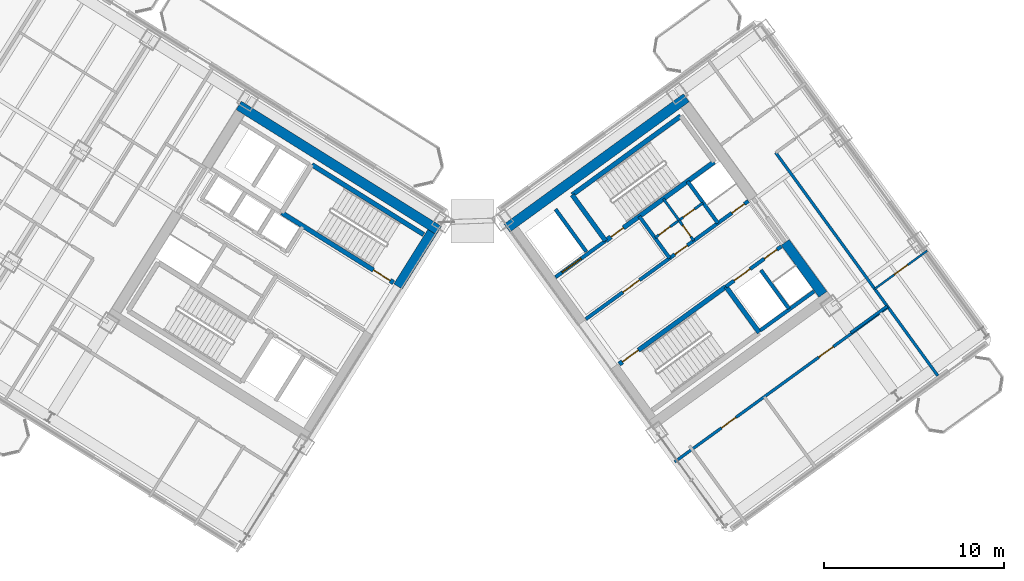
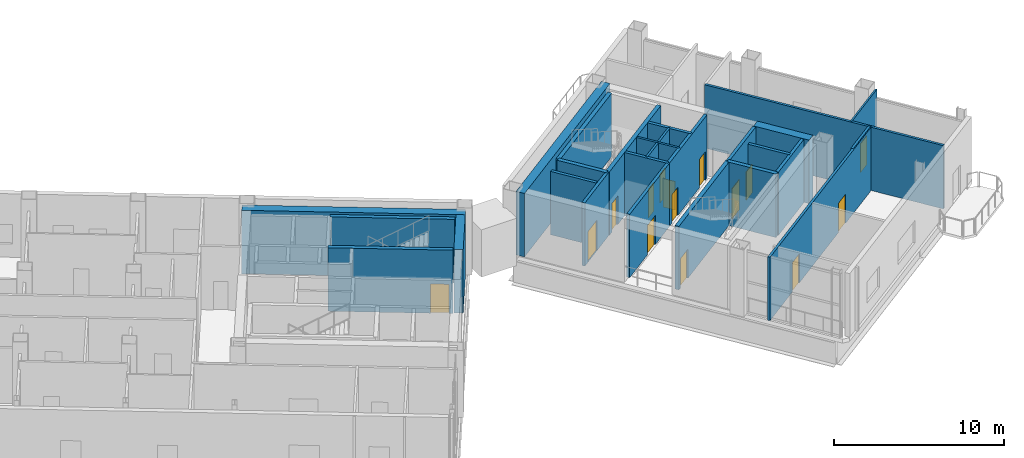
# One storey, part 15 of 22: 27 walls, 15 doors, 15 openings.
"""IFC4 building model written with IfcOpenShell, lengths in metres."""

from ifc_helpers import new_model, si_unit, direction, frame, frame_2d, origin, place, context, subcontext, project, spatial, rectangle, extrude, source, transform, mapped, material, layer, layer_set, type_object, element, fill, save


model = new_model("IFC4")

# Units and contexts
model_context = context("Model", 3, precision=1e-05, world=origin(), true_north=direction((0.0, 1.0)))
body_context = subcontext(model_context, "Body", "Model", "MODEL_VIEW")
ifc_project = project(units=[si_unit("LENGTHUNIT", "METRE"), si_unit("AREAUNIT", "SQUARE_METRE"), si_unit("VOLUMEUNIT", "CUBIC_METRE"), si_unit("PLANEANGLEUNIT", "RADIAN"), si_unit("MASSUNIT", "GRAM", prefix="KILO")], contexts=[model_context])

# Site, building, storey
site_placement = place(None, origin())
site = spatial("IfcSite", under=ifc_project, at=site_placement, CompositionType="ELEMENT")
building_placement = place(site_placement, origin())
building = spatial("IfcBuilding", under=site, at=building_placement, Name="Tlacorven Tower", CompositionType="ELEMENT")
storey_placement = place(building_placement, frame((0.0, 0.0, 127.800048828125)))
storey = spatial("IfcBuildingStorey", under=building, at=storey_placement, Name="L32", CompositionType="ELEMENT", Elevation=127.800048828125)

# Walls
ifc_material_1 = material(Name="Concrete C60/75", Category="concrete")
ifc_layer_1 = layer(ifc_material_1, 0.550048828125)
ifc_layer_set_1 = layer_set([ifc_layer_1], Name="Concrete C60/75")
wall_type_1 = type_object("IfcWallType", Name="WL-COR-550", PredefinedType="SHEAR", material=ifc_layer_set_1)
wall_1_placement = place(storey_placement, frame((40.572998046875, 24.010009765625, 0.0), z_axis=(0.0, 0.0, 1.0), x_axis=(-0.848047359947, 0.529920442413, 0.0)))
element("IfcWall", 1, at=wall_1_placement, inside=storey, type_object=wall_type_1, Name="L32 W core shear wall S1", PredefinedType="SHEAR", context=body_context, shape_type="SweptSolid", body=[
    extrude(rectangle(XDim=13.139892578125, YDim=0.550048828125, at=frame_2d((6.56982421875, 0.0))), origin(), (0.0, 0.0, 1.0), 4.550048828125),
])
wall_2_placement = place(storey_placement, frame((40.194091796875, 23.92236328125, 0.0), z_axis=(0.0, 0.0, 1.0), x_axis=(-0.529888438328, -0.848067357541, 0.0)))
element("IfcWall", 2, at=wall_2_placement, inside=storey, type_object=wall_type_1, Name="L32 W core end wall E1.1", PredefinedType="SHEAR", context=body_context, shape_type="SweptSolid", body=[
    extrude(rectangle(XDim=3.574951171875, YDim=0.550048828125, at=frame_2d((1.78759765625, 0.0))), origin(), (0.0, 0.0, 1.0), 4.550048828125),
])
wall_3_placement = place(storey_placement, frame((44.364990234375, 24.142333984375, 0.0), z_axis=(0.0, 0.0, 1.0), x_axis=(0.809024304885, 0.587775190107, 0.0)))
element("IfcWall", 3, at=wall_3_placement, inside=storey, type_object=wall_type_1, Name="L32 E core shear wall S2", PredefinedType="SHEAR", context=body_context, shape_type="SweptSolid", body=[
    extrude(rectangle(XDim=12.340087890625, YDim=0.550048828125, at=frame_2d((6.169921875, 0.0))), origin(), (0.0, 0.0, 1.0), 4.550048828125),
])
wall_4_placement = place(storey_placement, frame((61.9580078125, 20.453857421875, 0.0), z_axis=(0.0, 0.0, 1.0), x_axis=(-0.587802113096, 0.809004744015, 0.0)))
element("IfcWall", 4, at=wall_4_placement, inside=storey, type_object=wall_type_1, Name="L32 E core end wall E2.1", PredefinedType="SHEAR", context=body_context, shape_type="SweptSolid", body=[
    extrude(rectangle(XDim=3.574951171875, YDim=0.550048828125, at=frame_2d((1.78759765625, 0.0))), origin(), (0.0, 0.0, 1.0), 4.550048828125),
])
ifc_material_2 = material(Name="Gypsum plasterboard acoustic partition", Category="gypsum")
ifc_layer_2 = layer(ifc_material_2, 0.159912109375)
ifc_layer_set_2 = layer_set([ifc_layer_2], Name="Gypsum plasterboard acoustic partition")
wall_type_2 = type_object("IfcWallType", Name="WL-DEM-160", PredefinedType="PARTITIONING", material=ifc_layer_set_2)
wall_5_placement = place(storey_placement, frame((63.5068359375, 18.322021484375, 0.0), z_axis=(0.0, 0.0, 1.0), x_axis=(0.809034604122, 0.587761013791, 0.0)))
element("IfcWall", 5, at=wall_5_placement, inside=storey, type_object=wall_type_2, Name="L32 partition 77", PredefinedType="PARTITIONING", context=body_context, shape_type="SweptSolid", body=[
    extrude(rectangle(XDim=2.510009765625, YDim=0.159912109375, at=frame_2d((1.2548828125, 0.0))), origin(), (0.0, 0.0, 1.0), 4.5400390625),
])
wall_6_placement = place(storey_placement, frame((68.35302734375, 15.922119140625, 0.0), z_axis=(0.0, 0.0, 1.0), x_axis=(-0.587782002009, 0.809019355834, 0.0)))
element("IfcWall", 6, at=wall_6_placement, inside=storey, type_object=wall_type_2, Name="L32 partition 79", PredefinedType="PARTITIONING", context=body_context, shape_type="SweptSolid", body=[
    extrude(rectangle(XDim=15.35009765625, YDim=0.159912109375, at=frame_2d((7.675048828125, 0.0))), origin(), (0.0, 0.0, 1.0), 4.5400390625),
])

# Wall, openings, doors
wall_7_placement = place(storey_placement, frame((53.70458984375, 11.1259765625, 0.0), z_axis=(0.0, 0.0, 1.0), x_axis=(0.809014504436, 0.587788679384, 0.0)))
wall_7 = element("IfcWall", 7, at=wall_7_placement, inside=storey, type_object=wall_type_2, Name="L32 partition 85", PredefinedType="PARTITIONING", context=body_context, shape_type="SweptSolid", body=[
    extrude(rectangle(XDim=14.669921875, YDim=0.159912109375, at=frame_2d((7.3349609375, 0.0))), origin(), (0.0, 0.0, 1.0), 4.5400390625),
])
opening_1_placement = place(wall_7_placement, frame((3.215087890625, 0.0, 0.0)))
opening_1 = element("IfcOpeningElement", 8, at=opening_1_placement, cuts=wall_7, Name="Opening D11", PredefinedType="OPENING", context=body_context, shape_type="SweptSolid", body=[
    extrude(rectangle(XDim=1.0, YDim=2.10009765625, at=frame_2d((0.5, 1.050048828125))), frame((0.0, 0.08984375, 0.0), z_axis=(0.0, -1.0, 0.0), x_axis=(1.0, 0.0, 0.0)), (0.0, 0.0, 1.0), 0.179931640625),
])
opening_2_placement = place(wall_7_placement, frame((9.9150390625, 0.0, 0.0)))
opening_2 = element("IfcOpeningElement", 9, at=opening_2_placement, cuts=wall_7, Name="Opening D11", PredefinedType="OPENING", context=body_context, shape_type="SweptSolid", body=[
    extrude(rectangle(XDim=1.0, YDim=2.10009765625, at=frame_2d((0.5, 1.050048828125))), frame((0.0, 0.08984375, 0.0), z_axis=(0.0, -1.0, 0.0), x_axis=(1.0, 0.0, 0.0)), (0.0, 0.0, 1.0), 0.179931640625),
])
ifc_material_3 = material(Name="Fire-rated steel door assembly", Category="steel")
door_type_1 = type_object("IfcDoorType", Name="DR-FLT-FD60-1000", OperationType="NOTDEFINED", PredefinedType="DOOR", material=ifc_material_3)
shared_shape_1 = source(origin(), body_context, "Body", "SweptSolid", [
    extrude(rectangle(XDim=1.0, YDim=2.10009765625, at=frame_2d((0.5, 1.050048828125))), frame((0.0, 0.02490234375, 0.0), z_axis=(0.0, -1.0, 0.0), x_axis=(1.0, 0.0, 0.0)), (0.0, 0.0, 1.0), 0.050048828125),
])
door_1_placement = place(opening_1_placement, origin())
door_1 = element("IfcDoor", 10, at=door_1_placement, inside=storey, type_object=door_type_1, Name="L32 door 053", OperationType="SINGLE_SWING_LEFT", OverallHeight=2.10009765625, OverallWidth=1.0, PredefinedType="DOOR", context=body_context, shape_type="MappedRepresentation", body=[
    mapped(shared_shape_1, transform((0.0, 0.0, 0.0), scale=1.0)),
])
fill(opening_1, door_1)
door_2_placement = place(opening_2_placement, origin())
door_2 = element("IfcDoor", 11, at=door_2_placement, inside=storey, type_object=door_type_1, Name="L32 door 054", OperationType="SINGLE_SWING_RIGHT", OverallHeight=2.10009765625, OverallWidth=1.0, PredefinedType="DOOR", context=body_context, shape_type="MappedRepresentation", body=[
    mapped(shared_shape_1, transform((0.0, 0.0, 0.0), scale=1.0)),
])
fill(opening_2, door_2)

# Wall, opening, door
ifc_material_4 = material(Name="Gypsum plasterboard partition", Category="gypsum")
ifc_layer_3 = layer(ifc_material_4, 0.110107421875)
ifc_layer_set_3 = layer_set([ifc_layer_3], Name="Gypsum plasterboard partition")
wall_type_3 = type_object("IfcWallType", Name="WL-INT-110", PredefinedType="PARTITIONING", material=ifc_layer_set_3)
wall_8_placement = place(storey_placement, frame((64.83935546875, 20.758544921875, 0.0), z_axis=(0.0, 0.0, 1.0), x_axis=(0.809013833588, 0.587789602718, 0.0)))
wall_8 = element("IfcWall", 12, at=wall_8_placement, inside=storey, type_object=wall_type_3, Name="L32 partition 84", PredefinedType="PARTITIONING", context=body_context, shape_type="SweptSolid", body=[
    extrude(rectangle(XDim=3.60986328125, YDim=0.110107421875, at=frame_2d((1.804931640625, 0.0))), origin(), (0.0, 0.0, 1.0), 4.5400390625),
])
opening_3_placement = place(wall_8_placement, frame((1.344970703125, 0.0, 0.0)))
opening_3 = element("IfcOpeningElement", 13, at=opening_3_placement, cuts=wall_8, Name="Opening D12", PredefinedType="OPENING", context=body_context, shape_type="SweptSolid", body=[
    extrude(rectangle(XDim=0.919921875, YDim=2.080078125, at=frame_2d((0.4599609375, 1.0400390625))), frame((0.0, 0.06494140625, 0.0), z_axis=(0.0, -1.0, 0.0), x_axis=(1.0, 0.0, 0.0)), (0.0, 0.0, 1.0), 0.130126953125),
])
ifc_material_5 = material(Name="Powder-coated aluminium and timber door", Category="wood")
door_type_2 = type_object("IfcDoorType", Name="DR-INT-ROOM-0920", OperationType="NOTDEFINED", PredefinedType="DOOR", material=ifc_material_5)
shared_shape_2 = source(origin(), body_context, "Body", "SweptSolid", [
    extrude(rectangle(XDim=0.919921875, YDim=2.080078125, at=frame_2d((0.4599609375, 1.0400390625))), frame((0.0, 0.02490234375, 0.0), z_axis=(0.0, -1.0, 0.0), x_axis=(1.0, 0.0, 0.0)), (0.0, 0.0, 1.0), 0.050048828125),
])
door_3_placement = place(opening_3_placement, origin())
door_3 = element("IfcDoor", 14, at=door_3_placement, inside=storey, type_object=door_type_2, Name="L32 door 052", OperationType="SINGLE_SWING_LEFT", OverallHeight=2.080078125, OverallWidth=0.919921875, PredefinedType="DOOR", context=body_context, shape_type="MappedRepresentation", body=[
    mapped(shared_shape_2, transform((0.0, 0.0, 0.0), scale=1.0)),
])
fill(opening_3, door_3)

ifc_material_6 = material(Name="Moisture-resistant gypsum plumbing wall", Category="gypsum")
ifc_layer_4 = layer(ifc_material_6, 0.139892578125)
ifc_layer_set_4 = layer_set([ifc_layer_4], Name="Moisture-resistant gypsum plumbing wall")
wall_type_4 = type_object("IfcWallType", Name="WL-PLM-140", PredefinedType="PLUMBINGWALL", material=ifc_layer_set_4)
wall_9_placement = place(storey_placement, frame((54.767578125, 23.443359375, 0.0), z_axis=(0.0, 0.0, 1.0), x_axis=(-0.587736077749, 0.809052719489, 0.0)))
wall_9 = element("IfcWall", 15, at=wall_9_placement, inside=storey, type_object=wall_type_4, Name="L32 partition 42", PredefinedType="PLUMBINGWALL", context=body_context, shape_type="SweptSolid", body=[
    extrude(rectangle(XDim=1.39990234375, YDim=0.139892578125, at=frame_2d((0.699951171875, 0.0))), origin(), (0.0, 0.0, 1.0), 4.5400390625),
])
opening_4_placement = place(wall_9_placement, frame((0.280029296875, 0.0, 0.0)))
opening_4 = element("IfcOpeningElement", 16, at=opening_4_placement, cuts=wall_9, Name="Opening D22", PredefinedType="OPENING", context=body_context, shape_type="SweptSolid", body=[
    extrude(rectangle(XDim=0.780029296875, YDim=2.050048828125, at=frame_2d((0.39013671875, 1.02490234375))), frame((0.0, 0.080078125, 0.0), z_axis=(0.0, -1.0, 0.0), x_axis=(1.0, 0.0, 0.0)), (0.0, 0.0, 1.0), 0.159912109375),
])
door_type_3 = type_object("IfcDoorType", Name="DR-INT-WET-0780", OperationType="NOTDEFINED", PredefinedType="DOOR", material=ifc_material_5)
shared_shape_3 = source(origin(), body_context, "Body", "SweptSolid", [
    extrude(rectangle(XDim=0.780029296875, YDim=2.050048828125, at=frame_2d((0.39013671875, 1.02490234375))), frame((0.0, 0.02490234375, 0.0), z_axis=(0.0, -1.0, 0.0), x_axis=(1.0, 0.0, 0.0)), (0.0, 0.0, 1.0), 0.050048828125),
])
door_4_placement = place(opening_4_placement, origin())
door_4 = element("IfcDoor", 17, at=door_4_placement, inside=storey, type_object=door_type_3, Name="L32 door 020", OperationType="SINGLE_SWING_RIGHT", OverallHeight=2.050048828125, OverallWidth=0.780029296875, PredefinedType="DOOR", context=body_context, shape_type="MappedRepresentation", body=[
    mapped(shared_shape_3, transform((0.0, 0.0, 0.0), scale=1.0)),
])
fill(opening_4, door_4)

# Wall
wall_10_placement = place(storey_placement, frame((53.94482421875, 24.575927734375, 0.0), z_axis=(0.0, 0.0, 1.0), x_axis=(-0.587897037186, 0.808935766095, 0.0)))
element("IfcWall", 18, at=wall_10_placement, inside=storey, type_object=wall_type_4, Name="L32 partition 43", PredefinedType="PLUMBINGWALL", context=body_context, shape_type="SweptSolid", body=[
    extrude(rectangle(XDim=1.47998046875, YDim=0.139892578125, at=frame_2d((0.739990234375, 0.0))), origin(), (0.0, 0.0, 1.0), 4.5400390625),
])

# Wall, openings, doors
wall_11_placement = place(storey_placement, frame((52.617919921875, 23.612060546875, 0.0), z_axis=(0.0, 0.0, 1.0), x_axis=(0.809009587469, 0.587795446889, 0.0)))
wall_11 = element("IfcWall", 19, at=wall_11_placement, inside=storey, type_object=wall_type_4, Name="L32 partition 44", PredefinedType="PLUMBINGWALL", context=body_context, shape_type="SweptSolid", body=[
    extrude(rectangle(XDim=3.280029296875, YDim=0.139892578125, at=frame_2d((1.64013671875, 0.0))), origin(), (0.0, 0.0, 1.0), 4.5400390625),
])
opening_5_placement = place(wall_11_placement, frame((0.25, 0.0, 0.0)))
opening_5 = element("IfcOpeningElement", 20, at=opening_5_placement, cuts=wall_11, Name="Opening D22", PredefinedType="OPENING", context=body_context, shape_type="SweptSolid", body=[
    extrude(rectangle(XDim=0.780029296875, YDim=2.050048828125, at=frame_2d((0.39013671875, 1.02490234375))), frame((0.0, 0.080078125, 0.0), z_axis=(0.0, -1.0, 0.0), x_axis=(1.0, 0.0, 0.0)), (0.0, 0.0, 1.0), 0.159912109375),
])
opening_6_placement = place(wall_11_placement, frame((1.919921875, 0.0, 0.0)))
opening_6 = element("IfcOpeningElement", 21, at=opening_6_placement, cuts=wall_11, Name="Opening D22", PredefinedType="OPENING", context=body_context, shape_type="SweptSolid", body=[
    extrude(rectangle(XDim=0.780029296875, YDim=2.050048828125, at=frame_2d((0.39013671875, 1.02490234375))), frame((0.0, 0.080078125, 0.0), z_axis=(0.0, -1.0, 0.0), x_axis=(1.0, 0.0, 0.0)), (0.0, 0.0, 1.0), 0.159912109375),
])
door_5_placement = place(opening_5_placement, origin())
door_5 = element("IfcDoor", 22, at=door_5_placement, inside=storey, type_object=door_type_3, Name="L32 door 021", OperationType="SINGLE_SWING_LEFT", OverallHeight=2.050048828125, OverallWidth=0.780029296875, PredefinedType="DOOR", context=body_context, shape_type="MappedRepresentation", body=[
    mapped(shared_shape_3, transform((0.0, 0.0, 0.0), scale=1.0)),
])
fill(opening_5, door_5)
door_6_placement = place(opening_6_placement, origin())
door_6 = element("IfcDoor", 23, at=door_6_placement, inside=storey, type_object=door_type_3, Name="L32 door 022", OperationType="SINGLE_SWING_RIGHT", OverallHeight=2.050048828125, OverallWidth=0.780029296875, PredefinedType="DOOR", context=body_context, shape_type="MappedRepresentation", body=[
    mapped(shared_shape_3, transform((0.0, 0.0, 0.0), scale=1.0)),
])
fill(opening_6, door_6)

# Wall, opening, door
ifc_material_7 = material(Name="Concrete C40/50", Category="concrete")
ifc_layer_5 = layer(ifc_material_7, 0.199951171875)
ifc_layer_set_5 = layer_set([ifc_layer_5], Name="Concrete C40/50")
wall_type_5 = type_object("IfcWallType", Name="WL-SHF-200", PredefinedType="STANDARD", material=ifc_layer_set_5)
wall_12_placement = place(storey_placement, frame((47.0654296875, 21.4072265625, 0.0), z_axis=(0.0, 0.0, 1.0), x_axis=(0.809032984992, 0.587763242466, 0.0)))
wall_12 = element("IfcWall", 24, at=wall_12_placement, inside=storey, type_object=wall_type_5, Name="L32 Core E Firefighting Lift Shaft Front Wall", PredefinedType="STANDARD", context=body_context, shape_type="SweptSolid", body=[
    extrude(rectangle(XDim=3.447998046875, YDim=0.199951171875, at=frame_2d((1.72412109375, 0.0))), origin(), (0.0, 0.0, 1.0), 4.5400390625),
])
opening_7_placement = place(wall_12_placement, frame((0.4580078125, 0.0, 0.0)))
opening_7 = element("IfcOpeningElement", 25, at=opening_7_placement, cuts=wall_12, Name="Opening LD03", PredefinedType="OPENING", context=body_context, shape_type="SweptSolid", body=[
    extrude(rectangle(XDim=1.300048828125, YDim=2.199951171875, at=frame_2d((0.64990234375, 1.10009765625))), frame((0.0, 0.10986328125, 0.0), z_axis=(0.0, -1.0, 0.0), x_axis=(1.0, 0.0, 0.0)), (0.0, 0.0, 1.0), 0.219970703125),
])
door_type_4 = type_object("IfcDoorType", Name="DR-LFT-SLID-1300", OperationType="DOUBLE_DOOR_SLIDING", PredefinedType="DOOR", material=ifc_material_3)
shared_shape_4 = source(origin(), body_context, "Body", "SweptSolid", [
    extrude(rectangle(XDim=1.300048828125, YDim=2.199951171875, at=frame_2d((0.64990234375, 1.10009765625))), frame((0.0, 0.02490234375, 0.0), z_axis=(0.0, -1.0, 0.0), x_axis=(1.0, 0.0, 0.0)), (0.0, 0.0, 1.0), 0.050048828125),
])
door_7_placement = place(opening_7_placement, origin())
door_7 = element("IfcDoor", 26, at=door_7_placement, inside=storey, type_object=door_type_4, Name="L32 Lift FFL-E1 Sliding Landing Door", OperationType="DOUBLE_DOOR_SLIDING", OverallHeight=2.199951171875, OverallWidth=1.300048828125, PredefinedType="DOOR", context=body_context, shape_type="MappedRepresentation", body=[
    mapped(shared_shape_4, transform((0.0, 0.0, 0.0), scale=1.0)),
])
fill(opening_7, door_7)

wall_13_placement = place(storey_placement, frame((48.75830078125, 19.0771484375, 0.0), z_axis=(0.0, 0.0, 1.0), x_axis=(0.809005065155, 0.587801671104, 0.0)))
wall_13 = element("IfcWall", 27, at=wall_13_placement, inside=storey, type_object=wall_type_5, Name="L32 Core E Smoke Lobby Wall", PredefinedType="STANDARD", context=body_context, shape_type="SweptSolid", body=[
    extrude(rectangle(XDim=5.767822265625, YDim=0.199951171875, at=frame_2d((2.8837890625, 0.0))), origin(), (0.0, 0.0, 1.0), 4.5400390625),
])
opening_8_placement = place(wall_13_placement, frame((2.548095703125, 0.0, 0.0)))
opening_8 = element("IfcOpeningElement", 28, at=opening_8_placement, cuts=wall_13, Name="Opening D09", PredefinedType="OPENING", context=body_context, shape_type="SweptSolid", body=[
    extrude(rectangle(XDim=1.14990234375, YDim=2.10009765625, at=frame_2d((0.574951171875, 1.050048828125))), frame((0.0, 0.10986328125, 0.0), z_axis=(0.0, -1.0, 0.0), x_axis=(1.0, 0.0, 0.0)), (0.0, 0.0, 1.0), 0.219970703125),
])
door_type_5 = type_object("IfcDoorType", Name="DR-FFL-FD60-1150", OperationType="NOTDEFINED", PredefinedType="DOOR", material=ifc_material_3)
shared_shape_5 = source(origin(), body_context, "Body", "SweptSolid", [
    extrude(rectangle(XDim=1.14990234375, YDim=2.10009765625, at=frame_2d((0.574951171875, 1.050048828125))), frame((0.0, 0.02490234375, 0.0), z_axis=(0.0, -1.0, 0.0), x_axis=(1.0, 0.0, 0.0)), (0.0, 0.0, 1.0), 0.050048828125),
])
door_8_placement = place(opening_8_placement, origin())
door_8 = element("IfcDoor", 29, at=door_8_placement, inside=storey, type_object=door_type_5, Name="L32 Firefighting Lobby E Fire Door", OperationType="SINGLE_SWING_RIGHT", OverallHeight=2.10009765625, OverallWidth=1.14990234375, PredefinedType="DOOR", context=body_context, shape_type="MappedRepresentation", body=[
    mapped(shared_shape_5, transform((0.0, 0.0, 0.0), scale=1.0)),
])
fill(opening_8, door_8)

# Wall, openings, doors
wall_14_placement = place(storey_placement, frame((56.552978515625, 20.884033203125, 0.0), z_axis=(0.0, 0.0, 1.0), x_axis=(0.809023564264, 0.58777620951, 0.0)))
wall_14 = element("IfcWall", 30, at=wall_14_placement, inside=storey, type_object=wall_type_5, Name="L32 Core E South Lift Shaft Wall", PredefinedType="STANDARD", context=body_context, shape_type="SweptSolid", body=[
    extrude(rectangle(XDim=3.818115234375, YDim=0.199951171875, at=frame_2d((1.9091796875, 0.0))), origin(), (0.0, 0.0, 1.0), 4.5400390625),
])
opening_9_placement = place(wall_14_placement, frame((0.570068359375, 0.0, 0.0)))
opening_9 = element("IfcOpeningElement", 31, at=opening_9_placement, cuts=wall_14, Name="Opening LD01", PredefinedType="OPENING", context=body_context, shape_type="SweptSolid", body=[
    extrude(rectangle(XDim=1.10009765625, YDim=2.14990234375, at=frame_2d((0.550048828125, 1.074951171875))), frame((0.0, 0.10986328125, 0.0), z_axis=(0.0, -1.0, 0.0), x_axis=(1.0, 0.0, 0.0)), (0.0, 0.0, 1.0), 0.219970703125),
])
opening_10_placement = place(wall_14_placement, frame((2.64990234375, 0.0, 0.0)))
opening_10 = element("IfcOpeningElement", 32, at=opening_10_placement, cuts=wall_14, Name="Opening D19", PredefinedType="OPENING", context=body_context, shape_type="SweptSolid", body=[
    extrude(rectangle(XDim=0.860107421875, YDim=2.050048828125, at=frame_2d((0.43017578125, 1.02490234375))), frame((0.0, 0.10986328125, 0.0), z_axis=(0.0, -1.0, 0.0), x_axis=(1.0, 0.0, 0.0)), (0.0, 0.0, 1.0), 0.219970703125),
])
door_type_6 = type_object("IfcDoorType", Name="DR-RSR-FD60-0860", OperationType="NOTDEFINED", PredefinedType="DOOR", material=ifc_material_3)
shared_shape_6 = source(origin(), body_context, "Body", "SweptSolid", [
    extrude(rectangle(XDim=0.860107421875, YDim=2.050048828125, at=frame_2d((0.43017578125, 1.02490234375))), frame((0.0, 0.02490234375, 0.0), z_axis=(0.0, -1.0, 0.0), x_axis=(1.0, 0.0, 0.0)), (0.0, 0.0, 1.0), 0.050048828125),
])
door_9_placement = place(opening_10_placement, origin())
door_9 = element("IfcDoor", 33, at=door_9_placement, inside=storey, type_object=door_type_6, Name="L32 Smoke Extract Riser Access Door", OperationType="SINGLE_SWING_LEFT", OverallHeight=2.050048828125, OverallWidth=0.860107421875, PredefinedType="DOOR", context=body_context, shape_type="MappedRepresentation", body=[
    mapped(shared_shape_6, transform((0.0, 0.0, 0.0), scale=1.0)),
])
fill(opening_10, door_9)
door_type_7 = type_object("IfcDoorType", Name="DR-LFT-SLID-1100", OperationType="DOUBLE_DOOR_SLIDING", PredefinedType="DOOR", material=ifc_material_3)
shared_shape_7 = source(origin(), body_context, "Body", "SweptSolid", [
    extrude(rectangle(XDim=1.10009765625, YDim=2.14990234375, at=frame_2d((0.550048828125, 1.074951171875))), frame((0.0, 0.02490234375, 0.0), z_axis=(0.0, -1.0, 0.0), x_axis=(1.0, 0.0, 0.0)), (0.0, 0.0, 1.0), 0.050048828125),
])
door_10_placement = place(opening_9_placement, origin())
door_10 = element("IfcDoor", 34, at=door_10_placement, inside=storey, type_object=door_type_7, Name="L32 Lift PL-M4 Sliding Landing Door", OperationType="DOUBLE_DOOR_SLIDING", OverallHeight=2.14990234375, OverallWidth=1.10009765625, PredefinedType="DOOR", context=body_context, shape_type="MappedRepresentation", body=[
    mapped(shared_shape_7, transform((0.0, 0.0, 0.0), scale=1.0)),
])
fill(opening_9, door_10)

# Walls
wall_15_placement = place(storey_placement, frame((48.78564453125, 22.830078125, 0.0), z_axis=(0.0, 0.0, 1.0), x_axis=(-0.587783856777, 0.809018008275, 0.0)))
element("IfcWall", 35, at=wall_15_placement, inside=storey, type_object=wall_type_5, Name="L32 partition 34", PredefinedType="STANDARD", context=body_context, shape_type="SweptSolid", body=[
    extrude(rectangle(XDim=2.919921875, YDim=0.199951171875, at=frame_2d((1.4599609375, 0.0))), origin(), (0.0, 0.0, 1.0), 4.5400390625),
])
wall_16_placement = place(storey_placement, frame((60.066650390625, 19.654541015625, 0.0), z_axis=(0.0, 0.0, 1.0), x_axis=(-0.587800520745, 0.809005900975, 0.0)))
element("IfcWall", 36, at=wall_16_placement, inside=storey, type_object=wall_type_5, Name="L32 partition 35", PredefinedType="STANDARD", context=body_context, shape_type="SweptSolid", body=[
    extrude(rectangle(XDim=2.659912109375, YDim=0.199951171875, at=frame_2d((1.330078125, 0.0))), origin(), (0.0, 0.0, 1.0), 4.5400390625),
])
wall_17_placement = place(storey_placement, frame((58.47216796875, 18.446533203125, 0.0), z_axis=(0.0, 0.0, 1.0), x_axis=(0.809018631237, 0.587782999339, 0.0)))
element("IfcWall", 37, at=wall_17_placement, inside=storey, type_object=wall_type_5, Name="L32 partition 37", PredefinedType="STANDARD", context=body_context, shape_type="SweptSolid", body=[
    extrude(rectangle(XDim=3.697998046875, YDim=0.199951171875, at=frame_2d((1.84912109375, 0.0))), origin(), (0.0, 0.0, 1.0), 4.5400390625),
])
wall_18_placement = place(storey_placement, frame((53.424560546875, 22.467529296875, 0.0), z_axis=(0.0, 0.0, 1.0), x_axis=(-0.5877230039, 0.809062216821, 0.0)))
element("IfcWall", 38, at=wall_18_placement, inside=storey, type_object=wall_type_5, Name="L32 partition 39", PredefinedType="STANDARD", context=body_context, shape_type="SweptSolid", body=[
    extrude(rectangle(XDim=2.8798828125, YDim=0.199951171875, at=frame_2d((1.43994140625, 0.0))), origin(), (0.0, 0.0, 1.0), 4.5400390625),
])
wall_19_placement = place(storey_placement, frame((56.110595703125, 24.4189453125, 0.0), z_axis=(0.0, 0.0, 1.0), x_axis=(-0.58777848983, 0.809021907548, 0.0)))
element("IfcWall", 39, at=wall_19_placement, inside=storey, type_object=wall_type_5, Name="L32 partition 40", PredefinedType="STANDARD", context=body_context, shape_type="SweptSolid", body=[
    extrude(rectangle(XDim=2.880126953125, YDim=0.199951171875, at=frame_2d((1.43994140625, 0.0))), origin(), (0.0, 0.0, 1.0), 4.5400390625),
])

# Wall, openings, doors
wall_20_placement = place(storey_placement, frame((53.424560546875, 22.467529296875, 0.0), z_axis=(0.0, 0.0, 1.0), x_axis=(0.809024377198, 0.587775090574, 0.0)))
wall_20 = element("IfcWall", 40, at=wall_20_placement, inside=storey, type_object=wall_type_5, Name="L32 Core E North Service Wall", PredefinedType="STANDARD", context=body_context, shape_type="SweptSolid", body=[
    extrude(rectangle(XDim=5.41796875, YDim=0.199951171875, at=frame_2d((2.708984375, 0.0))), origin(), (0.0, 0.0, 1.0), 4.5400390625),
])
opening_11_placement = place(wall_20_placement, frame((4.280029296875, 0.0, 0.0)))
opening_11 = element("IfcOpeningElement", 41, at=opening_11_placement, cuts=wall_20, Name="Opening D19", PredefinedType="OPENING", context=body_context, shape_type="SweptSolid", body=[
    extrude(rectangle(XDim=0.860107421875, YDim=2.050048828125, at=frame_2d((0.43017578125, 1.02490234375))), frame((0.0, 0.10986328125, 0.0), z_axis=(0.0, -1.0, 0.0), x_axis=(1.0, 0.0, 0.0)), (0.0, 0.0, 1.0), 0.219970703125),
])
opening_12_placement = place(wall_20_placement, frame((0.35009765625, 0.0, 0.0)))
opening_12 = element("IfcOpeningElement", 42, at=opening_12_placement, cuts=wall_20, Name="Opening D19", PredefinedType="OPENING", context=body_context, shape_type="SweptSolid", body=[
    extrude(rectangle(XDim=0.860107421875, YDim=2.050048828125, at=frame_2d((0.43017578125, 1.02490234375))), frame((0.0, 0.10986328125, 0.0), z_axis=(0.0, -1.0, 0.0), x_axis=(1.0, 0.0, 0.0)), (0.0, 0.0, 1.0), 0.219970703125),
])
door_11_placement = place(opening_11_placement, frame((0.860107421875, 0.0, 0.0), z_axis=(0.0, 0.0, 1.0), x_axis=(-1.0, 0.0, 0.0)))
door_11 = element("IfcDoor", 43, at=door_11_placement, inside=storey, type_object=door_type_6, Name="L32 Electrical Riser Access Door E", OperationType="SINGLE_SWING_RIGHT", OverallHeight=2.050048828125, OverallWidth=0.860107421875, PredefinedType="DOOR", context=body_context, shape_type="MappedRepresentation", body=[
    mapped(shared_shape_6, transform((0.0, 0.0, 0.0), scale=1.0)),
])
fill(opening_11, door_11)
door_12_placement = place(opening_12_placement, frame((0.860107421875, 0.0, 0.0), z_axis=(0.0, 0.0, 1.0), x_axis=(-1.0, 0.0, 0.0)))
door_12 = element("IfcDoor", 44, at=door_12_placement, inside=storey, type_object=door_type_6, Name="L32 Cleaning Room Access Door E", OperationType="SINGLE_SWING_LEFT", OverallHeight=2.050048828125, OverallWidth=0.860107421875, PredefinedType="DOOR", context=body_context, shape_type="MappedRepresentation", body=[
    mapped(shared_shape_6, transform((0.0, 0.0, 0.0), scale=1.0)),
])
fill(opening_12, door_12)

# Wall
ifc_material_8 = material(Name="Concrete C50/60", Category="concrete")
ifc_layer_6 = layer(ifc_material_8, 0.260009765625)
ifc_layer_set_6 = layer_set([ifc_layer_6], Name="Concrete C50/60")
wall_type_6 = type_object("IfcWallType", Name="WL-STW-260", PredefinedType="SHEAR", material=ifc_layer_set_6)
wall_21_placement = place(storey_placement, frame((39.720947265625, 23.787841796875, 0.0), z_axis=(0.0, 0.0, 1.0), x_axis=(-0.848054434086, 0.529909121291, 0.0)))
element("IfcWall", 45, at=wall_21_placement, inside=storey, type_object=wall_type_6, Name="L32 Stair W2 Far Shear Wall", PredefinedType="SHEAR", context=body_context, shape_type="SweptSolid", body=[
    extrude(rectangle(XDim=7.330078125, YDim=0.260009765625, at=frame_2d((3.6650390625, 0.0))), origin(), (0.0, 0.0, 1.0), 4.550048828125),
])

# Wall, opening, door
wall_22_placement = place(storey_placement, frame((38.04638671875, 21.10791015625, 0.0), z_axis=(0.0, 0.0, 1.0), x_axis=(-0.848054434086, 0.529909121291, 0.0)))
wall_22 = element("IfcWall", 46, at=wall_22_placement, inside=storey, type_object=wall_type_6, Name="L32 Stair W2 Lobby Shear Wall", PredefinedType="SHEAR", context=body_context, shape_type="SweptSolid", body=[
    extrude(rectangle(XDim=7.330078125, YDim=0.260009765625, at=frame_2d((3.6650390625, 0.0))), origin(), (0.0, 0.0, 1.0), 4.550048828125),
])
opening_13_placement = place(wall_22_placement, frame((0.219970703125, 0.0, 0.0)))
opening_13 = element("IfcOpeningElement", 47, at=opening_13_placement, cuts=wall_22, Name="Opening D07", PredefinedType="OPENING", context=body_context, shape_type="SweptSolid", body=[
    extrude(rectangle(XDim=1.10009765625, YDim=2.10009765625, at=frame_2d((0.550048828125, 1.050048828125))), frame((0.0, 0.14013671875, 0.0), z_axis=(0.0, -1.0, 0.0), x_axis=(1.0, 0.0, 0.0)), (0.0, 0.0, 1.0), 0.280029296875),
])
door_type_8 = type_object("IfcDoorType", Name="DR-STR-FD90-1100", OperationType="NOTDEFINED", PredefinedType="DOOR", material=ifc_material_3)
shared_shape_8 = source(origin(), body_context, "Body", "SweptSolid", [
    extrude(rectangle(XDim=1.10009765625, YDim=2.10009765625, at=frame_2d((0.550048828125, 1.050048828125))), frame((0.0, 0.02490234375, 0.0), z_axis=(0.0, -1.0, 0.0), x_axis=(1.0, 0.0, 0.0)), (0.0, 0.0, 1.0), 0.050048828125),
])
door_13_placement = place(opening_13_placement, origin())
door_13 = element("IfcDoor", 48, at=door_13_placement, inside=storey, type_object=door_type_8, Name="L32 Exit Stair W2 Fire Door", OperationType="SINGLE_SWING_LEFT", OverallHeight=2.10009765625, OverallWidth=1.10009765625, PredefinedType="DOOR", context=body_context, shape_type="MappedRepresentation", body=[
    mapped(shared_shape_8, transform((0.0, 0.0, 0.0), scale=1.0)),
])
fill(opening_13, door_13)

# Wall
wall_23_placement = place(storey_placement, frame((48.005615234375, 25.996337890625, 0.0), z_axis=(0.0, 0.0, 1.0), x_axis=(0.80901903764, 0.587782439969, 0.0)))
element("IfcWall", 49, at=wall_23_placement, inside=storey, type_object=wall_type_6, Name="L32 Stair E1 Far Shear Wall", PredefinedType="SHEAR", context=body_context, shape_type="SweptSolid", body=[
    extrude(rectangle(XDim=7.4599609375, YDim=0.260009765625, at=frame_2d((3.72998046875, 0.0))), origin(), (0.0, 0.0, 1.0), 4.550048828125),
])

# Wall, opening, door
wall_24_placement = place(storey_placement, frame((49.863037109375, 23.439697265625, 0.0), z_axis=(0.0, 0.0, 1.0), x_axis=(0.809003474932, 0.587803859759, 0.0)))
wall_24 = element("IfcWall", 50, at=wall_24_placement, inside=storey, type_object=wall_type_6, Name="L32 Stair E1 Lobby Shear Wall", PredefinedType="SHEAR", context=body_context, shape_type="SweptSolid", body=[
    extrude(rectangle(XDim=7.4599609375, YDim=0.260009765625, at=frame_2d((3.72998046875, 0.0))), origin(), (0.0, 0.0, 1.0), 4.550048828125),
])
opening_14_placement = place(wall_24_placement, frame((0.360107421875, 0.0, 0.0)))
opening_14 = element("IfcOpeningElement", 51, at=opening_14_placement, cuts=wall_24, Name="Opening D19", PredefinedType="OPENING", context=body_context, shape_type="SweptSolid", body=[
    extrude(rectangle(XDim=0.860107421875, YDim=2.050048828125, at=frame_2d((0.43017578125, 1.02490234375))), frame((0.0, 0.14013671875, 0.0), z_axis=(0.0, -1.0, 0.0), x_axis=(1.0, 0.0, 0.0)), (0.0, 0.0, 1.0), 0.280029296875),
])
door_14_placement = place(opening_14_placement, frame((0.860107421875, 0.0, 0.0), z_axis=(0.0, 0.0, 1.0), x_axis=(-1.0, 0.0, 0.0)))
door_14 = element("IfcDoor", 52, at=door_14_placement, inside=storey, type_object=door_type_6, Name="L32 Exit Stair E1 Fire Door", OperationType="SINGLE_SWING_LEFT", OverallHeight=2.050048828125, OverallWidth=0.860107421875, PredefinedType="DOOR", context=body_context, shape_type="MappedRepresentation", body=[
    mapped(shared_shape_6, transform((0.0, 0.0, 0.0), scale=1.0)),
])
fill(opening_14, door_14)

# Wall
wall_25_placement = place(storey_placement, frame((49.85498046875, 23.433837890625, 0.0), z_axis=(0.0, 0.0, 1.0), x_axis=(-0.58776738483, 0.809029975545, 0.0)))
element("IfcWall", 53, at=wall_25_placement, inside=storey, type_object=wall_type_6, Name="L32 Stair E1 West Shear Wall", PredefinedType="SHEAR", context=body_context, shape_type="SweptSolid", body=[
    extrude(rectangle(XDim=3.16015625, YDim=0.260009765625, at=frame_2d((1.580078125, 0.0))), origin(), (0.0, 0.0, 1.0), 4.550048828125),
])

# Wall, opening, door
wall_26_placement = place(storey_placement, frame((50.61474609375, 16.569580078125, 0.0), z_axis=(0.0, 0.0, 1.0), x_axis=(0.809028366311, 0.587769599847, 0.0)))
wall_26 = element("IfcWall", 54, at=wall_26_placement, inside=storey, type_object=wall_type_6, Name="L32 Stair E2 Lobby Shear Wall", PredefinedType="SHEAR", context=body_context, shape_type="SweptSolid", body=[
    extrude(rectangle(XDim=7.330078125, YDim=0.260009765625, at=frame_2d((3.6650390625, 0.0))), origin(), (0.0, 0.0, 1.0), 4.550048828125),
])
opening_15_placement = place(wall_26_placement, frame((0.219970703125, 0.0, 0.0)))
opening_15 = element("IfcOpeningElement", 55, at=opening_15_placement, cuts=wall_26, Name="Opening D07", PredefinedType="OPENING", context=body_context, shape_type="SweptSolid", body=[
    extrude(rectangle(XDim=1.10009765625, YDim=2.10009765625, at=frame_2d((0.550048828125, 1.050048828125))), frame((0.0, 0.14013671875, 0.0), z_axis=(0.0, -1.0, 0.0), x_axis=(1.0, 0.0, 0.0)), (0.0, 0.0, 1.0), 0.280029296875),
])
door_15_placement = place(opening_15_placement, origin())
door_15 = element("IfcDoor", 56, at=door_15_placement, inside=storey, type_object=door_type_8, Name="L32 Exit Stair E2 Fire Door", OperationType="SINGLE_SWING_LEFT", OverallHeight=2.10009765625, OverallWidth=1.10009765625, PredefinedType="DOOR", context=body_context, shape_type="MappedRepresentation", body=[
    mapped(shared_shape_8, transform((0.0, 0.0, 0.0), scale=1.0)),
])
fill(opening_15, door_15)

# Wall
wall_27_placement = place(storey_placement, frame((58.410400390625, 18.327392578125, 0.0), z_axis=(0.0, 0.0, 1.0), x_axis=(-0.58776738483, 0.809029975545, 0.0)))
element("IfcWall", 57, at=wall_27_placement, inside=storey, type_object=wall_type_6, Name="L32 Stair E2 East Shear Wall", PredefinedType="SHEAR", context=body_context, shape_type="SweptSolid", body=[
    extrude(rectangle(XDim=3.16015625, YDim=0.260009765625, at=frame_2d((1.580078125, 0.0))), origin(), (0.0, 0.0, 1.0), 4.550048828125),
])

save(model, "model.ifc")
